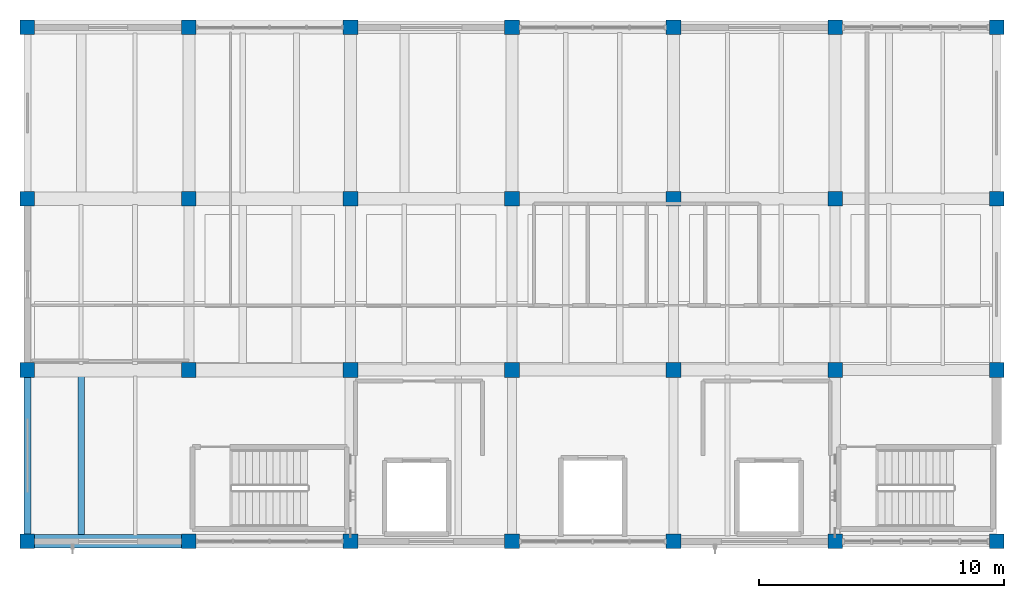
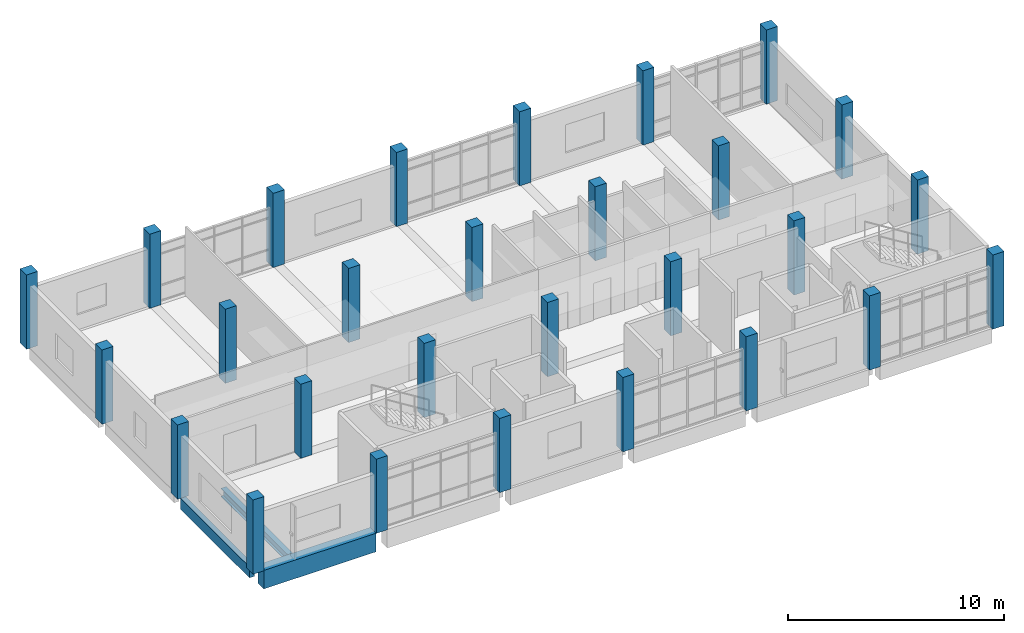
# One storey, part 1 of 14: 28 columns, 3 beams.
"""IFC4 building model written with IfcOpenShell, lengths in metres."""

import ifcopenshell
import ifcopenshell.guid

model = None  # the IFC model being written
_history = None  # IfcOwnerHistory: only IFC2X3 demands one
_inside = {}  # id of a spatial element -> (the spatial element, [elements in it])
_under = {}  # id of a project, library or spatial element -> (it, [spatial elements below it])
_declared = {}  # id of a project -> (the project, [libraries it declares])
_typed = {}  # id of a type object -> (the type object, [elements of that type])
_made_of = {}  # id of a material, layer set ... -> (it, [elements and type objects made of it])


def new_model(schema):
    """Start an empty IFC model of exactly this schema.

    Asked for "IFC4X3", IfcOpenShell would pick the latest addendum, in which some entities
    have other attributes; the version numbers below select the first issue.
    IFC2X3 requires an IfcOwnerHistory on every rooted entity: one is made here for all.
    """
    global model, _history
    if schema == "IFC4X3":
        model = ifcopenshell.file(schema_version=(4, 3, 0, 0))
    else:
        model = ifcopenshell.file(schema=schema)
    _inside.clear()
    _under.clear()
    _declared.clear()
    _typed.clear()
    _made_of.clear()
    _history = None
    if model.schema == "IFC2X3":
        org = make("IfcOrganization", Name="unknown")
        user = make(
            "IfcPersonAndOrganization",
            ThePerson=make("IfcPerson", FamilyName="unknown"),
            TheOrganization=org,
        )
        app = make(
            "IfcApplication",
            ApplicationDeveloper=org,
            Version="unknown",
            ApplicationFullName="unknown",
            ApplicationIdentifier="unknown",
        )
        _history = make(
            "IfcOwnerHistory",
            OwningUser=user,
            OwningApplication=app,
            ChangeAction="ADDED",
            CreationDate=0,
        )
    return model


def make(cls, **values):
    """One entity of the class cls with the attributes given. An attribute that is None is left unset."""
    return model.create_entity(
        cls, **{name: value for name, value in values.items() if value is not None}
    )


def rooted(cls, **values):
    """An entity with a GlobalId (a new one), such as an element, a storey or a relation."""
    return make(cls, GlobalId=ifcopenshell.guid.new(), OwnerHistory=_history, **values)


def si_unit(unit_type, name, prefix=None):
    """IfcSIUnit, for example si_unit("LENGTHUNIT", "METRE", prefix="MILLI")."""
    return make("IfcSIUnit", UnitType=unit_type, Prefix=prefix, Name=name)


def assignment(units):
    """IfcUnitAssignment: the units of a project."""
    return None if units is None else make("IfcUnitAssignment", Units=units)


def point(xyz):
    """IfcCartesianPoint."""
    return None if xyz is None else make("IfcCartesianPoint", Coordinates=xyz)


def direction(xyz):
    """IfcDirection."""
    return None if xyz is None else make("IfcDirection", DirectionRatios=xyz)


def frame(location, z_axis=None, x_axis=None):
    """IfcAxis2Placement3D, a coordinate frame: its origin and axes. An axis left out is left unset."""
    return make(
        "IfcAxis2Placement3D",
        Location=point(location),
        Axis=direction(z_axis),
        RefDirection=direction(x_axis),
    )


def frame_2d(location, x_axis=None):
    """IfcAxis2Placement2D, a coordinate frame in the plane: its origin and x axis."""
    return make(
        "IfcAxis2Placement2D", Location=point(location), RefDirection=direction(x_axis)
    )


def origin():
    """The frame at (0, 0, 0) with its axes left unset."""
    return frame((0.0, 0.0, 0.0))


def origin_2d():
    """The frame at (0, 0) in the plane with its x axis left unset."""
    return frame_2d((0.0, 0.0))


def place(relative_to, where):
    """IfcLocalPlacement: puts the frame where relative to a parent placement (None: the world)."""
    return make(
        "IfcLocalPlacement", PlacementRelTo=relative_to, RelativePlacement=where
    )


def context(
    kind, dimensions, precision=None, world=None, true_north=None, identifier=None
):
    """IfcGeometricRepresentationContext, for example the 3D "Model" context."""
    return make(
        "IfcGeometricRepresentationContext",
        ContextIdentifier=identifier,
        ContextType=kind,
        CoordinateSpaceDimension=dimensions,
        Precision=precision,
        WorldCoordinateSystem=world,
        TrueNorth=true_north,
    )


def subcontext(parent, identifier, kind, view, scale=None):
    """IfcGeometricRepresentationSubContext, for example "Body" below "Model"."""
    return make(
        "IfcGeometricRepresentationSubContext",
        ContextIdentifier=identifier,
        ContextType=kind,
        ParentContext=parent,
        TargetScale=scale,
        TargetView=view,
    )


def project(units=None, contexts=None):
    """IfcProject with its units and contexts."""
    return rooted(
        "IfcProject",
        Name="project",
        RepresentationContexts=contexts,
        UnitsInContext=assignment(units),
    )


def spatial(cls, under=None, at=None, **own):
    """A site, building, storey or space (cls), placed at a placement, below another one or the project."""
    s = rooted(cls, ObjectPlacement=at, **own)
    if under is not None:
        _under.setdefault(under.id(), (under, []))[1].append(s)
    return s


def profile(cls, at=None, kind="AREA", **sizes):
    """A parametric profile (cls). Its sizes go by their IFC names, for example OverallWidth=200.0."""
    return make(cls, ProfileType=kind, Position=at, **sizes)


def rectangle(**sizes):
    """IfcRectangleProfileDef."""
    return profile("IfcRectangleProfileDef", **sizes)


def i_section(**sizes):
    """IfcIShapeProfileDef."""
    return profile("IfcIShapeProfileDef", **sizes)


def extrude(swept, where, along, depth):
    """IfcExtrudedAreaSolid: the profile swept, set in the frame where, extruded along a direction by depth."""
    return make(
        "IfcExtrudedAreaSolid",
        SweptArea=swept,
        Position=where,
        ExtrudedDirection=direction(along),
        Depth=depth,
    )


def shape(context_of_items, identifier, shape_type, items):
    """IfcShapeRepresentation: the items that make up one representation, for example the "Body"."""
    return make(
        "IfcShapeRepresentation",
        ContextOfItems=context_of_items,
        RepresentationIdentifier=identifier,
        RepresentationType=shape_type,
        Items=items,
    )


def material(Name=None, Category=None):
    """IfcMaterial."""
    return make("IfcMaterial", Name=Name, Category=Category)


def material_profile(
    of_material, cross_section, Name=None, Category=None, Priority=None
):
    """IfcMaterialProfile: a cross section and its material."""
    return make(
        "IfcMaterialProfile",
        Name=Name,
        Material=of_material,
        Profile=cross_section,
        Priority=Priority,
        Category=Category,
    )


def profile_set(profiles, Name=None, composite=None):
    """IfcMaterialProfileSet."""
    return make(
        "IfcMaterialProfileSet",
        Name=Name,
        MaterialProfiles=profiles,
        CompositeProfile=composite,
    )


def made_of(thing, what):
    """Note that an element or type object is made of a material, layer set ...; save() writes the relation."""
    if what is not None:
        _made_of.setdefault(what.id(), (what, []))[1].append(thing)
    return thing


def type_object(cls, material=None, **own):
    """A type object (cls), such as IfcWallType, which elements share."""
    return made_of(rooted(cls, **own), material)


def element(
    cls,
    number,
    at=None,
    inside=None,
    cuts=None,
    type_object=None,
    material=None,
    context=None,
    identifier="Body",
    shape_type=None,
    held_by="IfcProductDefinitionShape",
    body=None,
    shapes=None,
    **own,
):
    """One element of the class cls, such as IfcWall. Its Tag is "e" and its number.

    at: its placement. inside: the storey or other place that contains it. cuts: it is an
    opening in that element (IfcRelVoidsElement). A single representation is given by context,
    identifier, shape_type and body (its items); several are given by shapes. held_by: the class
    of the entity that holds the representations. save() writes the other relations.
    """
    e = rooted(cls, Tag="e%d" % number, ObjectPlacement=at, **own)
    if body is not None:
        shapes = [shape(context, identifier, shape_type, body)]
    if shapes is not None:
        e.Representation = make(held_by, Representations=shapes)
    if inside is not None:
        _inside.setdefault(inside.id(), (inside, []))[1].append(e)
    if cuts is not None:
        rooted(
            "IfcRelVoidsElement", RelatingBuildingElement=cuts, RelatedOpeningElement=e
        )
    if type_object is not None:
        _typed.setdefault(type_object.id(), (type_object, []))[1].append(e)
    return made_of(e, material)


def aggregate(whole, parts):
    """IfcRelAggregates: a whole, such as a stair, and the parts it consists of."""
    return rooted("IfcRelAggregates", RelatingObject=whole, RelatedObjects=parts)


def save(model, path):
    """Write the relations noted so far, then the file.

    IfcRelAggregates (storeys below a building ...), IfcRelContainedInSpatialStructure (elements
    in a storey), IfcRelDefinesByType, IfcRelAssociatesMaterial and IfcRelDeclares: one each for
    every whole, place, type object, material and project.
    """
    for whole, parts in _under.values():
        aggregate(whole, parts)
    for where, things in _inside.values():
        rooted(
            "IfcRelContainedInSpatialStructure",
            RelatedElements=things,
            RelatingStructure=where,
        )
    for kind, things in _typed.values():
        rooted("IfcRelDefinesByType", RelatedObjects=things, RelatingType=kind)
    for what, things in _made_of.values():
        rooted("IfcRelAssociatesMaterial", RelatedObjects=things, RelatingMaterial=what)
    for by, libraries in _declared.values():
        rooted("IfcRelDeclares", RelatingContext=by, RelatedDefinitions=libraries)
    model.write(path)


model = new_model("IFC4")

# Units and contexts
model_context = context("Model", 3, precision=1e-05, world=origin(), true_north=direction((0.0, 1.0)))
body_context = subcontext(model_context, "Body", "Model", "MODEL_VIEW")
ifc_project = project(units=[si_unit("LENGTHUNIT", "METRE"), si_unit("AREAUNIT", "SQUARE_METRE"), si_unit("VOLUMEUNIT", "CUBIC_METRE"), si_unit("PLANEANGLEUNIT", "RADIAN"), si_unit("MASSUNIT", "GRAM", prefix="KILO")], contexts=[model_context])

# Site, building, storey
site_placement = place(None, origin())
site = spatial("IfcSite", under=ifc_project, at=site_placement, CompositionType="ELEMENT")
building_placement = place(site_placement, origin())
building = spatial("IfcBuilding", under=site, at=building_placement, Name="Ciguamira Faculty of Natural Sciences", CompositionType="ELEMENT")
storey_placement = place(building_placement, frame((0.0, 0.0, 33.60009765625)))
storey = spatial("IfcBuildingStorey", under=building, at=storey_placement, Name="L08", CompositionType="ELEMENT", Elevation=33.60009765625)

# Columns
ifc_material_1 = material(Name="Concrete C40/50", Category="concrete")
ifc_material_profile_1 = material_profile(ifc_material_1, rectangle(XDim=0.60009765625, YDim=0.60009765625, at=origin_2d()), Name="RC-COL-600X600")
ifc_profile_set_1 = profile_set([ifc_material_profile_1], Name="Concrete C40/50")
column_type = type_object("IfcColumnType", Name="Col_C-07_RC-COL-600X600", PredefinedType="COLUMN", material=ifc_profile_set_1)
for number, where, z_axis, x_axis, name in (
    (1, (63.89990234375, 94.0, 0.0), (0.0, 0.0, 1.0), (1.0, 0.0, 0.0), "L08 column 10/P"),
    (2, (63.89990234375, 101.0, 0.0), (0.0, 0.0, 1.0), (1.0, 0.0, 0.0), "L08 column 10/Q"),
    (3, (63.89990234375, 108.0, 0.0), (0.0, 0.0, 1.0), (1.0, 0.0, 0.0), "L08 column 10/R"),
    (4, (63.89990234375, 115.0, 0.0), (0.0, 0.0, 1.0), (1.0, 0.0, 0.0), "L08 column 10/S"),
    (5, (70.5, 94.0, 0.0), (0.0, 0.0, 1.0), (1.0, 0.0, 0.0), "L08 column 11/P"),
    (6, (70.5, 101.0, 0.0), (0.0, 0.0, 1.0), (1.0, 0.0, 0.0), "L08 column 11/Q"),
    (7, (70.5, 108.0, 0.0), (0.0, 0.0, 1.0), (1.0, 0.0, 0.0), "L08 column 11/R"),
    (8, (70.5, 115.0, 0.0), (0.0, 0.0, 1.0), (1.0, 0.0, 0.0), "L08 column 11/S"),
    (9, (77.10009765625, 94.0, 0.0), (0.0, 0.0, 1.0), (1.0, 0.0, 0.0), "L08 column 12/P"),
    (10, (77.10009765625, 101.0, 0.0), (0.0, 0.0, 1.0), (1.0, 0.0, 0.0), "L08 column 12/Q"),
    (11, (77.10009765625, 108.0, 0.0), (0.0, 0.0, 1.0), (1.0, 0.0, 0.0), "L08 column 12/R"),
    (12, (77.10009765625, 115.0, 0.0), (0.0, 0.0, 1.0), (1.0, 0.0, 0.0), "L08 column 12/S"),
    (13, (83.699951171875, 94.0, 0.0), (0.0, 0.0, 1.0), (1.0, 0.0, 0.0), "L08 column 13/P"),
    (14, (83.699951171875, 101.0, 0.0), (0.0, 0.0, 1.0), (1.0, 0.0, 0.0), "L08 column 13/Q"),
    (15, (83.699951171875, 108.0, 0.0), (0.0, 0.0, 1.0), (1.0, 0.0, 0.0), "L08 column 13/R"),
    (16, (83.699951171875, 115.0, 0.0), (0.0, 0.0, 1.0), (1.0, 0.0, 0.0), "L08 column 13/S"),
    (17, (90.300048828125, 94.0, 0.0), (0.0, 0.0, 1.0), (1.0, 0.0, 0.0), "L08 column 14/P"),
    (18, (90.300048828125, 101.0, 0.0), (0.0, 0.0, 1.0), (1.0, 0.0, 0.0), "L08 column 14/Q"),
    (19, (90.300048828125, 108.0, 0.0), (0.0, 0.0, 1.0), (1.0, 0.0, 0.0), "L08 column 14/R"),
    (20, (90.300048828125, 115.0, 0.0), (0.0, 0.0, 1.0), (1.0, 0.0, 0.0), "L08 column 14/S"),
    (21, (96.89990234375, 94.0, 0.0), (0.0, 0.0, 1.0), (1.0, 0.0, 0.0), "L08 column 15/P"),
    (22, (96.89990234375, 101.0, 0.0), (0.0, 0.0, 1.0), (1.0, 0.0, 0.0), "L08 column 15/Q"),
    (23, (96.89990234375, 108.0, 0.0), (0.0, 0.0, 1.0), (1.0, 0.0, 0.0), "L08 column 15/R"),
    (24, (96.89990234375, 115.0, 0.0), (0.0, 0.0, 1.0), (1.0, 0.0, 0.0), "L08 column 15/S"),
    (25, (103.5, 94.0, 0.0), (0.0, 0.0, 1.0), (1.0, 0.0, 0.0), "L08 column 16/P"),
    (26, (103.5, 101.0, 0.0), (0.0, 0.0, 1.0), (1.0, 0.0, 0.0), "L08 column 16/Q"),
    (27, (103.5, 108.0, 0.0), (0.0, 0.0, 1.0), (1.0, 0.0, 0.0), "L08 column 16/R"),
    (28, (103.5, 115.0, 0.0), (0.0, 0.0, 1.0), (1.0, 0.0, 0.0), "L08 column 16/S"),
):
    element("IfcColumn", number, at=place(storey_placement, frame(where, z_axis=z_axis, x_axis=x_axis)), inside=storey, type_object=column_type, Name=name, PredefinedType="COLUMN", context=body_context, shape_type="SweptSolid", body=[
        extrude(rectangle(XDim=0.60009765625, YDim=0.60009765625, at=origin_2d()), origin(), (0.0, 0.0, 1.0), 4.199951171875),
    ])

# Beams
ifc_material_profile_2 = material_profile(ifc_material_1, rectangle(XDim=0.550048828125, YDim=1.050048828125, at=origin_2d()), Name="RC-BM-550X1050")
ifc_profile_set_2 = profile_set([ifc_material_profile_2], Name="Concrete C40/50")
beam_type_1 = type_object("IfcBeamType", Name="RCBeam_BG-01_RC-BM-550X1050", PredefinedType="BEAM", material=ifc_profile_set_2)
beam_1_placement = place(storey_placement, frame((64.199951171875, 94.0, -0.525146484375), z_axis=(1.0, 0.0, 0.0), x_axis=(0.0, 1.0, 0.0)))
element("IfcBeam", 29, at=beam_1_placement, inside=storey, type_object=beam_type_1, Name="L08 RC girder EW-1592", PredefinedType="BEAM", context=body_context, shape_type="SweptSolid", body=[
    extrude(rectangle(XDim=0.550048828125, YDim=1.050048828125, at=origin_2d()), origin(), (0.0, 0.0, 1.0), 6.0),
])
ifc_material_2 = material(Name="Precast concrete C40/50", Category="concrete")
ifc_material_profile_3 = material_profile(ifc_material_2, rectangle(XDim=0.280029296875, YDim=0.6201171875, at=origin_2d()), Name="RC-SP-280X620")
ifc_profile_set_3 = profile_set([ifc_material_profile_3], Name="Precast concrete C40/50")
beam_type_2 = type_object("IfcBeamType", Name="RCBeam_SP-01_RC-SP-280X620", PredefinedType="SPANDREL", material=ifc_profile_set_3)
beam_2_placement = place(storey_placement, frame((63.89990234375, 94.300048828125, -0.31005859375), z_axis=(0.0, 1.0, 0.0), x_axis=(-1.0, 0.0, 0.0)))
element("IfcBeam", 30, at=beam_2_placement, inside=storey, type_object=beam_type_2, Name="L08 girder NS-1616", PredefinedType="SPANDREL", context=body_context, shape_type="SweptSolid", body=[
    extrude(rectangle(XDim=0.280029296875, YDim=0.6201171875, at=origin_2d()), origin(), (0.0, 0.0, 1.0), 6.39990234375),
])
ifc_material_3 = material(Name="Steel ASTM A992 Grade 50", Category="steel")
ifc_material_profile_4 = material_profile(ifc_material_3, i_section(OverallWidth=0.279296875, OverallDepth=0.462158203125, WebThickness=0.0107421875, FlangeThickness=0.017333984375, at=origin_2d()), Name="W18X76")
ifc_profile_set_4 = profile_set([ifc_material_profile_4], Name="Steel ASTM A992 Grade 50")
beam_type_3 = type_object("IfcBeamType", Name="SteelJoist_SJ-25_W18X76", PredefinedType="JOIST", material=ifc_profile_set_4)
beam_3_placement = place(storey_placement, frame((66.10009765625, 94.235107421875, -0.47119140625), z_axis=(0.0, 1.0, 0.0), x_axis=(-1.0, 0.0, 0.0)))
element("IfcBeam", 31, at=beam_3_placement, inside=storey, type_object=beam_type_3, Name="L08 composite steel joist 01450", PredefinedType="JOIST", context=body_context, shape_type="SweptSolid", body=[
    extrude(i_section(OverallWidth=0.279296875, OverallDepth=0.462158203125, WebThickness=0.0107421875, FlangeThickness=0.017333984375, at=origin_2d()), origin(), (0.0, 0.0, 1.0), 6.52978515625),
])

save(model, "model.ifc")
